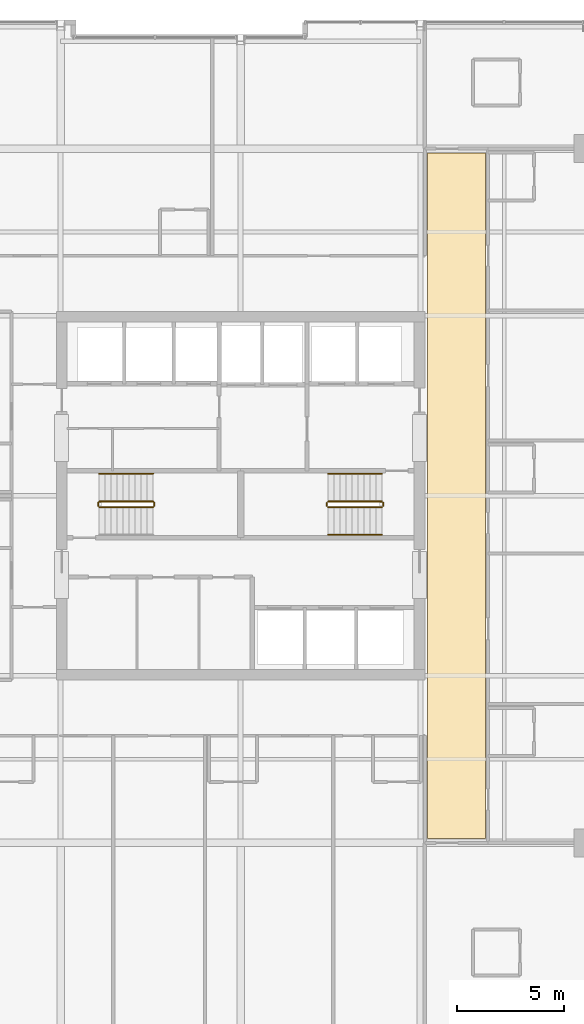
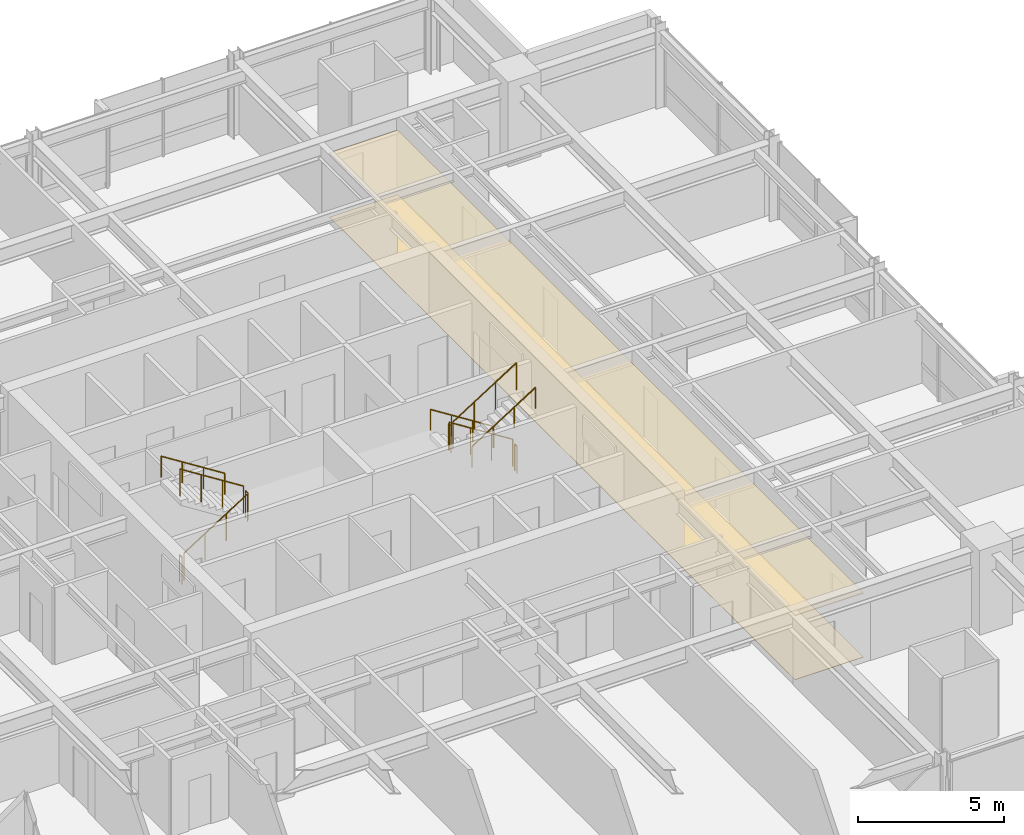
# One storey, part 32 of 33: 11 railings, 2 coverings.
"""IFC4 building model written with IfcOpenShell, lengths in metres."""

from ifc_helpers import new_model, si_unit, direction, frame, origin, origin_2d, place, context, subcontext, project, spatial, polyline, circle, outline, extrude, material, layer, layer_set, type_object, element, save


model = new_model("IFC4")

# Units and contexts
model_context = context("Model", 3, precision=1e-05, world=origin(), true_north=direction((0.0, 1.0)))
body_context = subcontext(model_context, "Body", "Model", "MODEL_VIEW")
ifc_project = project(units=[si_unit("LENGTHUNIT", "METRE"), si_unit("AREAUNIT", "SQUARE_METRE"), si_unit("VOLUMEUNIT", "CUBIC_METRE"), si_unit("PLANEANGLEUNIT", "RADIAN"), si_unit("MASSUNIT", "GRAM", prefix="KILO")], contexts=[model_context])

# Site, building, storey
site_placement = place(None, origin())
site = spatial("IfcSite", under=ifc_project, at=site_placement, CompositionType="ELEMENT")
building_placement = place(site_placement, origin())
building = spatial("IfcBuilding", under=site, at=building_placement, Name="Drelvath Grand Hotel", CompositionType="ELEMENT")
storey_placement = place(building_placement, frame((0.0, 0.0, 196.550048828125)))
storey = spatial("IfcBuildingStorey", under=building, at=storey_placement, Name="L51", CompositionType="ELEMENT", Elevation=196.550048828125)

# Railings
ifc_material_1 = material(Name="Painted Steel S275", Category="steel")
railing_type_1 = type_object("IfcRailingType", Name="Core Stair Wall Handrail 900", PredefinedType="HANDRAIL", material=ifc_material_1)
railing_1_placement = place(storey_placement, frame((-4.080078125, 28.030029296875, 1.952392578125)))
element("IfcRailing", 1, at=railing_1_placement, inside=storey, type_object=railing_type_1, Name="L51 ST-1 stair handrail 2", PredefinedType="HANDRAIL", context=body_context, shape_type="SweptSolid", body=[
    extrude(circle(Radius=0.02392578125, at=origin_2d()), frame((0.0, 0.0, 0.8759765625), z_axis=(-0.84456994832, 0.0, 0.535445237532), x_axis=(0.0, -1.0, 0.0)), (0.0, 0.0, 1.0), 2.98388671875),
    extrude(circle(Radius=0.02099609375, at=origin_2d()), origin(), (0.0, 0.0, 1.0), 0.851806640625),
    extrude(circle(Radius=0.02099609375, at=origin_2d()), frame((-0.840087890625, 0.0, 0.532470703125)), (0.0, 0.0, 1.0), 0.851806640625),
    extrude(circle(Radius=0.02099609375, at=origin_2d()), frame((-1.679931640625, 0.0, 1.065185546875)), (0.0, 0.0, 1.0), 0.851806640625),
    extrude(circle(Radius=0.02099609375, at=origin_2d()), frame((-2.52001953125, 0.0, 1.59765625)), (0.0, 0.0, 1.0), 0.851806640625),
])
railing_2_placement = place(storey_placement, frame((6.60009765625, 28.030029296875, 0.177490234375)))
element("IfcRailing", 2, at=railing_2_placement, inside=storey, type_object=railing_type_1, Name="L51 ST-2 stair handrail 1", PredefinedType="HANDRAIL", context=body_context, shape_type="SweptSolid", body=[
    extrude(circle(Radius=0.02392578125, at=origin_2d()), frame((0.0, 0.0, 0.8759765625), z_axis=(-0.84460694969, 0.0, 0.535386869969), x_axis=(0.0, -1.0, 0.0)), (0.0, 0.0, 1.0), 2.983642578125),
    extrude(circle(Radius=0.02099609375, at=origin_2d()), origin(), (0.0, 0.0, 1.0), 0.851806640625),
    extrude(circle(Radius=0.02099609375, at=origin_2d()), frame((-0.840087890625, 0.0, 0.532470703125)), (0.0, 0.0, 1.0), 0.851806640625),
    extrude(circle(Radius=0.02099609375, at=origin_2d()), frame((-1.679931640625, 0.0, 1.06494140625)), (0.0, 0.0, 1.0), 0.851806640625),
    extrude(circle(Radius=0.02099609375, at=origin_2d()), frame((-2.52001953125, 0.0, 1.597412109375)), (0.0, 0.0, 1.0), 0.851806640625),
])
railing_3_placement = place(storey_placement, frame((4.080078125, 25.169921875, 1.952392578125)))
element("IfcRailing", 3, at=railing_3_placement, inside=storey, type_object=railing_type_1, Name="L51 ST-2 stair handrail 2", PredefinedType="HANDRAIL", context=body_context, shape_type="SweptSolid", body=[
    extrude(circle(Radius=0.02392578125, at=origin_2d()), frame((0.0, 0.0, 0.8759765625), z_axis=(0.84456994832, 0.0, 0.535445237532), x_axis=(0.0, 1.0, 0.0)), (0.0, 0.0, 1.0), 2.98388671875),
    extrude(circle(Radius=0.02099609375, at=origin_2d()), origin(), (0.0, 0.0, 1.0), 0.851806640625),
    extrude(circle(Radius=0.02099609375, at=origin_2d()), frame((0.840087890625, 0.0, 0.532470703125)), (0.0, 0.0, 1.0), 0.851806640625),
    extrude(circle(Radius=0.02099609375, at=origin_2d()), frame((1.679931640625, 0.0, 1.065185546875)), (0.0, 0.0, 1.0), 0.851806640625),
    extrude(circle(Radius=0.02099609375, at=origin_2d()), frame((2.52001953125, 0.0, 1.59765625)), (0.0, 0.0, 1.0), 0.851806640625),
])
railing_type_2 = type_object("IfcRailingType", Name="Core Stair Well Guardrail 1100", PredefinedType="GUARDRAIL", material=ifc_material_1)
railing_4_placement = place(storey_placement, frame((-6.60009765625, 26.469970703125, 0.177490234375)))
element("IfcRailing", 4, at=railing_4_placement, inside=storey, type_object=railing_type_2, Name="L51 ST-1 stair guard 1", PredefinedType="GUARDRAIL", context=body_context, shape_type="SweptSolid", body=[
    extrude(circle(Radius=0.02392578125, at=origin_2d()), frame((0.0, 0.0, 1.1259765625), z_axis=(0.84460694969, 0.0, 0.535386869969), x_axis=(0.0, 1.0, 0.0)), (0.0, 0.0, 1.0), 2.983642578125),
    extrude(circle(Radius=0.02099609375, at=origin_2d()), origin(), (0.0, 0.0, 1.0), 1.101806640625),
    extrude(circle(Radius=0.02099609375, at=origin_2d()), frame((0.840087890625, 0.0, 0.532470703125)), (0.0, 0.0, 1.0), 1.101806640625),
    extrude(circle(Radius=0.02099609375, at=origin_2d()), frame((1.679931640625, 0.0, 1.06494140625)), (0.0, 0.0, 1.0), 1.101806640625),
    extrude(circle(Radius=0.02099609375, at=origin_2d()), frame((2.52001953125, 0.0, 1.597412109375)), (0.0, 0.0, 1.0), 1.101806640625),
])
railing_5_placement = place(storey_placement, frame((-4.030029296875, 26.52001953125, 1.77490234375)))
element("IfcRailing", 5, at=railing_5_placement, inside=storey, type_object=railing_type_2, Name="L51 ST-1 stair guard 2", PredefinedType="GUARDRAIL", context=body_context, shape_type="SweptSolid", body=[
    extrude(circle(Radius=0.02392578125, at=origin_2d()), frame((0.0, 0.0, 1.1259765625), z_axis=(0.0, 1.0, 0.0), x_axis=(-1.0, 0.0, 0.0)), (0.0, 0.0, 1.0), 0.159912109375),
    extrude(circle(Radius=0.02099609375, at=origin_2d()), origin(), (0.0, 0.0, 1.0), 1.101806640625),
    extrude(circle(Radius=0.02099609375, at=origin_2d()), frame((0.0, 0.159912109375, 0.0)), (0.0, 0.0, 1.0), 1.101806640625),
])
railing_6_placement = place(storey_placement, frame((-4.080078125, 26.72998046875, 1.952392578125)))
element("IfcRailing", 6, at=railing_6_placement, inside=storey, type_object=railing_type_2, Name="L51 ST-1 stair guard 3", PredefinedType="GUARDRAIL", context=body_context, shape_type="SweptSolid", body=[
    extrude(circle(Radius=0.02392578125, at=origin_2d()), frame((0.0, 0.0, 1.1259765625), z_axis=(-0.84456994832, 0.0, 0.535445237532), x_axis=(0.0, -1.0, 0.0)), (0.0, 0.0, 1.0), 2.98388671875),
    extrude(circle(Radius=0.02099609375, at=origin_2d()), origin(), (0.0, 0.0, 1.0), 1.101806640625),
    extrude(circle(Radius=0.02099609375, at=origin_2d()), frame((-0.840087890625, 0.0, 0.532470703125)), (0.0, 0.0, 1.0), 1.101806640625),
    extrude(circle(Radius=0.02099609375, at=origin_2d()), frame((-1.679931640625, 0.0, 1.065185546875)), (0.0, 0.0, 1.0), 1.101806640625),
    extrude(circle(Radius=0.02099609375, at=origin_2d()), frame((-2.52001953125, 0.0, 1.59765625)), (0.0, 0.0, 1.0), 1.101806640625),
])
railing_7_placement = place(storey_placement, frame((-6.64990234375, 26.52001953125, 0.0)))
element("IfcRailing", 7, at=railing_7_placement, inside=storey, type_object=railing_type_2, Name="L51 ST-1 stair guard 4", PredefinedType="GUARDRAIL", context=body_context, shape_type="SweptSolid", body=[
    extrude(circle(Radius=0.02392578125, at=origin_2d()), frame((0.0, 0.0, 1.1259765625), z_axis=(0.0, 1.0, 0.0), x_axis=(-1.0, 0.0, 0.0)), (0.0, 0.0, 1.0), 0.159912109375),
    extrude(circle(Radius=0.02099609375, at=origin_2d()), origin(), (0.0, 0.0, 1.0), 1.101806640625),
    extrude(circle(Radius=0.02099609375, at=origin_2d()), frame((0.0, 0.159912109375, 0.0)), (0.0, 0.0, 1.0), 1.101806640625),
])
railing_8_placement = place(storey_placement, frame((6.60009765625, 26.72998046875, 0.177490234375)))
element("IfcRailing", 8, at=railing_8_placement, inside=storey, type_object=railing_type_2, Name="L51 ST-2 stair guard 1", PredefinedType="GUARDRAIL", context=body_context, shape_type="SweptSolid", body=[
    extrude(circle(Radius=0.02392578125, at=origin_2d()), frame((0.0, 0.0, 1.1259765625), z_axis=(-0.84460694969, 0.0, 0.535386869969), x_axis=(0.0, -1.0, 0.0)), (0.0, 0.0, 1.0), 2.983642578125),
    extrude(circle(Radius=0.02099609375, at=origin_2d()), origin(), (0.0, 0.0, 1.0), 1.101806640625),
    extrude(circle(Radius=0.02099609375, at=origin_2d()), frame((-0.840087890625, 0.0, 0.532470703125)), (0.0, 0.0, 1.0), 1.101806640625),
    extrude(circle(Radius=0.02099609375, at=origin_2d()), frame((-1.679931640625, 0.0, 1.06494140625)), (0.0, 0.0, 1.0), 1.101806640625),
    extrude(circle(Radius=0.02099609375, at=origin_2d()), frame((-2.52001953125, 0.0, 1.597412109375)), (0.0, 0.0, 1.0), 1.101806640625),
])
railing_9_placement = place(storey_placement, frame((4.030029296875, 26.679931640625, 1.77490234375)))
element("IfcRailing", 9, at=railing_9_placement, inside=storey, type_object=railing_type_2, Name="L51 ST-2 stair guard 2", PredefinedType="GUARDRAIL", context=body_context, shape_type="SweptSolid", body=[
    extrude(circle(Radius=0.02392578125, at=origin_2d()), frame((0.0, 0.0, 1.1259765625), z_axis=(0.0, -1.0, 0.0), x_axis=(1.0, 0.0, 0.0)), (0.0, 0.0, 1.0), 0.159912109375),
    extrude(circle(Radius=0.02099609375, at=origin_2d()), origin(), (0.0, 0.0, 1.0), 1.101806640625),
    extrude(circle(Radius=0.02099609375, at=origin_2d()), frame((0.0, -0.159912109375, 0.0)), (0.0, 0.0, 1.0), 1.101806640625),
])
railing_10_placement = place(storey_placement, frame((4.080078125, 26.469970703125, 1.952392578125)))
element("IfcRailing", 10, at=railing_10_placement, inside=storey, type_object=railing_type_2, Name="L51 ST-2 stair guard 3", PredefinedType="GUARDRAIL", context=body_context, shape_type="SweptSolid", body=[
    extrude(circle(Radius=0.02392578125, at=origin_2d()), frame((0.0, 0.0, 1.1259765625), z_axis=(0.84456994832, 0.0, 0.535445237532), x_axis=(0.0, 1.0, 0.0)), (0.0, 0.0, 1.0), 2.98388671875),
    extrude(circle(Radius=0.02099609375, at=origin_2d()), origin(), (0.0, 0.0, 1.0), 1.101806640625),
    extrude(circle(Radius=0.02099609375, at=origin_2d()), frame((0.840087890625, 0.0, 0.532470703125)), (0.0, 0.0, 1.0), 1.101806640625),
    extrude(circle(Radius=0.02099609375, at=origin_2d()), frame((1.679931640625, 0.0, 1.065185546875)), (0.0, 0.0, 1.0), 1.101806640625),
    extrude(circle(Radius=0.02099609375, at=origin_2d()), frame((2.52001953125, 0.0, 1.59765625)), (0.0, 0.0, 1.0), 1.101806640625),
])
railing_11_placement = place(storey_placement, frame((6.64990234375, 26.679931640625, 0.0)))
element("IfcRailing", 11, at=railing_11_placement, inside=storey, type_object=railing_type_2, Name="L51 ST-2 stair guard 4", PredefinedType="GUARDRAIL", context=body_context, shape_type="SweptSolid", body=[
    extrude(circle(Radius=0.02392578125, at=origin_2d()), frame((0.0, 0.0, 1.1259765625), z_axis=(0.0, -1.0, 0.0), x_axis=(1.0, 0.0, 0.0)), (0.0, 0.0, 1.0), 0.159912109375),
    extrude(circle(Radius=0.02099609375, at=origin_2d()), origin(), (0.0, 0.0, 1.0), 1.101806640625),
    extrude(circle(Radius=0.02099609375, at=origin_2d()), frame((0.0, -0.159912109375, 0.0)), (0.0, 0.0, 1.0), 1.101806640625),
])

# Coverings
ifc_material_2 = material(Name="Woven Wool Broadloom Carpet")
ifc_layer_1 = layer(ifc_material_2, 0.01806640625)
ifc_layer_set_1 = layer_set([ifc_layer_1], Name="Woven Wool Broadloom Carpet")
covering_type_1 = type_object("IfcCoveringType", Name="Hospitality Broadloom Carpet 18", PredefinedType="FLOORING", material=ifc_layer_set_1)
covering_1_placement = place(storey_placement, origin())
element("IfcCovering", 12, at=covering_1_placement, inside=storey, type_object=covering_type_1, Name="L51 East Spine Carpet", PredefinedType="FLOORING", context=body_context, shape_type="SweptSolid", body=[
    extrude(outline(polyline([(11.429931640625, 11.0), (11.429931640625, 43.0), (8.719970703125, 43.0), (8.719970703125, 11.0), (11.429931640625, 11.0)])), origin(), (0.0, 0.0, 1.0), 0.01806640625),
])
ifc_material_3 = material(Name="Anodised Aluminium Alloy", Category="aluminium")
ifc_layer_2 = layer(ifc_material_3, 0.0400390625)
ifc_layer_set_2 = layer_set([ifc_layer_2], Name="Anodised Aluminium Alloy")
covering_type_2 = type_object("IfcCoveringType", Name="Perforated Metal Corridor Ceiling 40", PredefinedType="CEILING", material=ifc_layer_set_2)
covering_2_placement = place(storey_placement, frame((0.0, 0.0, 2.679931640625)))
element("IfcCovering", 13, at=covering_2_placement, inside=storey, type_object=covering_type_2, Name="L51 East Spine Ceiling", PredefinedType="CEILING", context=body_context, shape_type="SweptSolid", body=[
    extrude(outline(polyline([(11.429931640625, 11.0), (11.429931640625, 43.0), (8.719970703125, 43.0), (8.719970703125, 11.0), (11.429931640625, 11.0)])), origin(), (0.0, 0.0, 1.0), 0.0400390625),
])

save(model, "model.ifc")
